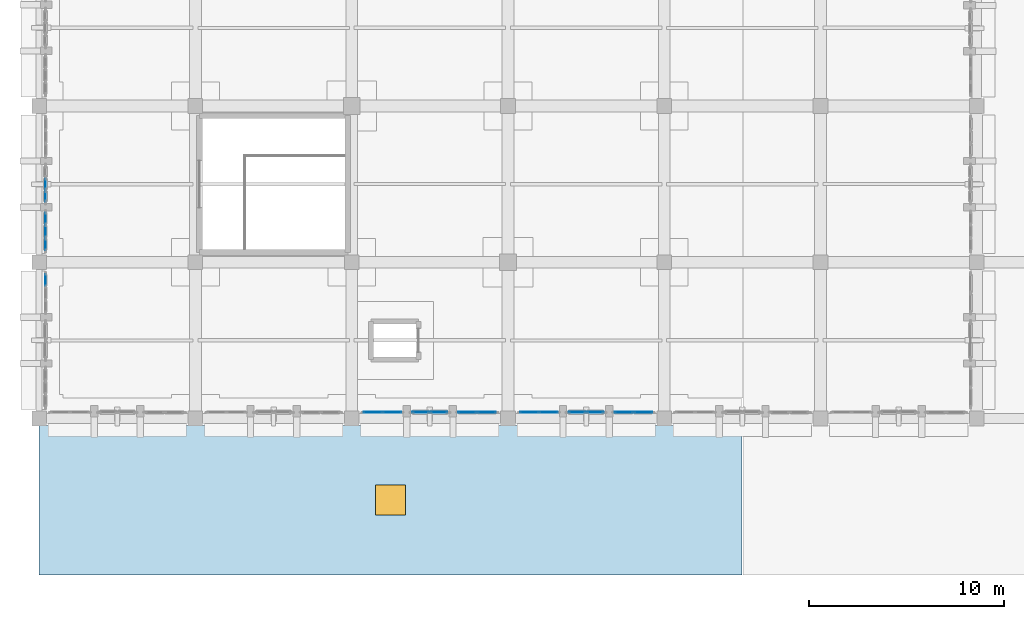
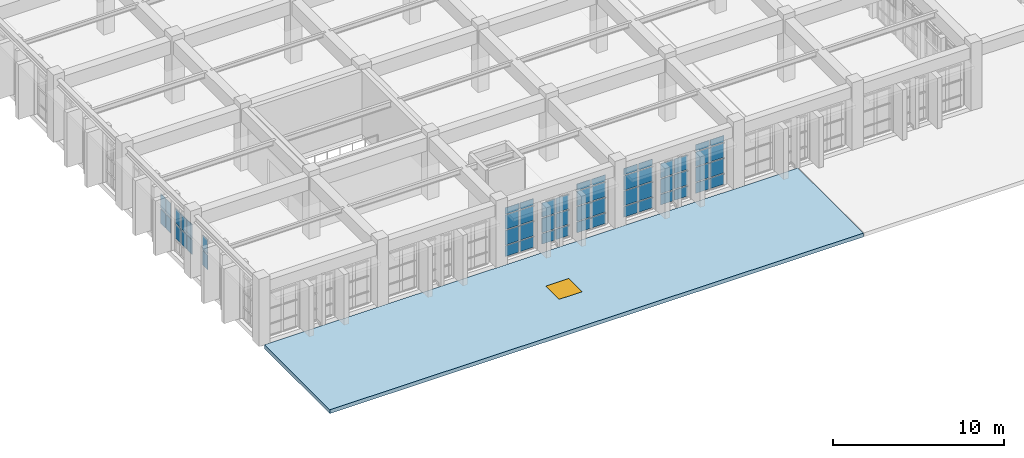
# One storey, part 85 of 155: 56 plates, 1 slab, 1 window, 1 opening, 9 elements without a shape of their own.
"""IFC4 building model written with IfcOpenShell, lengths in metres."""

from ifc_helpers import new_model, si_unit, direction, frame, origin, origin_2d, place, context, subcontext, project, spatial, polyline, rectangle, outline, extrude, material, layer, layer_set, type_object, element, fill, aggregate, save


model = new_model("IFC4")

# Units and contexts
model_context = context("Model", 3, precision=1e-05, world=origin(), true_north=direction((0.0, 1.0)))
body_context = subcontext(model_context, "Body", "Model", "MODEL_VIEW")
ifc_project = project(units=[si_unit("LENGTHUNIT", "METRE"), si_unit("AREAUNIT", "SQUARE_METRE"), si_unit("VOLUMEUNIT", "CUBIC_METRE"), si_unit("PLANEANGLEUNIT", "RADIAN"), si_unit("MASSUNIT", "GRAM", prefix="KILO")], contexts=[model_context])

# Site, building, storey
site_placement = place(None, origin())
site = spatial("IfcSite", under=ifc_project, at=site_placement, CompositionType="ELEMENT")
building_placement = place(site_placement, origin())
building = spatial("IfcBuilding", under=site, at=building_placement, Name="Tazarka Park Arena", CompositionType="ELEMENT")
storey_placement = place(building_placement, frame((0.0, 0.0, 5.39990234375)))
storey = spatial("IfcBuildingStorey", under=building, at=storey_placement, Name="L01", CompositionType="ELEMENT", Elevation=5.39990234375)

# Curtain wall, plates
ifc_material_1 = material(Name="Aluminium and low-e glass", Category="aluminium")
ifc_layer_1 = layer(ifc_material_1, 0.179931640625, Name="Aluminium and low-e glass")
ifc_layer_set_1 = layer_set([ifc_layer_1], Name="Aluminium and low-e glass")
curtain_wall_type_1 = type_object("IfcCurtainWallType", Name="CW-09", PredefinedType="NOTDEFINED", material=ifc_layer_set_1)
curtain_wall_1_placement = place(storey_placement, origin())
curtain_wall_1 = element("IfcCurtainWall", 1, at=curtain_wall_1_placement, inside=storey, type_object=curtain_wall_type_1, Name="Curtain Wall CWA-L01-069", PredefinedType="NOTDEFINED")
ifc_material_2 = material(Name="Double low-e insulated glazing", Category="glass")
ifc_layer_2 = layer(ifc_material_2, 0.028076171875, Name="Double low-e insulated glazing")
ifc_layer_set_2 = layer_set([ifc_layer_2], Name="Double low-e insulated glazing")
plate_type_1 = type_object("IfcPlateType", Name="CWP-01", PredefinedType="CURTAIN_PANEL", material=ifc_layer_set_2)
plate_1_placement = place(storey_placement, frame((0.320068359375, 15.08642578125, 0.8828125), z_axis=(0.0, 0.0, 1.0), x_axis=(0.0, 1.0, 0.0)))
plate_1 = element("IfcPlate", 2, at=plate_1_placement, type_object=plate_type_1, Name="CW-09 panel 3.2", PredefinedType="CURTAIN_PANEL", context=body_context, shape_type="SweptSolid", body=[
    extrude(rectangle(XDim=0.5869140625, YDim=0.028076171875, at=origin_2d()), origin(), (0.0, 0.0, 1.0), 1.034912109375),
])
plate_2_placement = place(storey_placement, frame((0.320068359375, 15.08642578125, 1.982421875), z_axis=(0.0, 0.0, 1.0), x_axis=(0.0, 1.0, 0.0)))
plate_2 = element("IfcPlate", 3, at=plate_2_placement, type_object=plate_type_1, Name="CW-09 panel 3.3", PredefinedType="CURTAIN_PANEL", context=body_context, shape_type="SweptSolid", body=[
    extrude(rectangle(XDim=0.5869140625, YDim=0.028076171875, at=origin_2d()), origin(), (0.0, 0.0, 1.0), 1.034912109375),
])
aggregate(curtain_wall_1, [plate_1, plate_2])

ifc_material_3 = material(Name="Aluminium and low-e glass", Category="aluminium")
ifc_layer_3 = layer(ifc_material_3, 0.179931640625, Name="Aluminium and low-e glass")
ifc_layer_set_3 = layer_set([ifc_layer_3], Name="Aluminium and low-e glass")
curtain_wall_type_2 = type_object("IfcCurtainWallType", Name="CW-18", PredefinedType="NOTDEFINED", material=ifc_layer_set_3)
curtain_wall_2_placement = place(storey_placement, origin())
curtain_wall_2 = element("IfcCurtainWall", 4, at=curtain_wall_2_placement, inside=storey, type_object=curtain_wall_type_2, Name="Curtain Wall CWA-L01-078", PredefinedType="NOTDEFINED")
plate_3_placement = place(storey_placement, frame((18.07861328125, 8.320068359375, 0.065185546875), z_axis=(0.0, 0.0, 1.0), x_axis=(-1.0, 0.0, 0.0)))
plate_3 = element("IfcPlate", 5, at=plate_3_placement, type_object=plate_type_1, Name="CW-18 panel 1.1", PredefinedType="CURTAIN_PANEL", context=body_context, shape_type="SweptSolid", body=[
    extrude(rectangle(XDim=0.92919921875, YDim=0.028076171875, at=origin_2d()), origin(), (0.0, 0.0, 1.0), 0.75244140625),
])
plate_4_placement = place(storey_placement, frame((18.07861328125, 8.320068359375, 0.8828125), z_axis=(0.0, 0.0, 1.0), x_axis=(-1.0, 0.0, 0.0)))
plate_4 = element("IfcPlate", 6, at=plate_4_placement, type_object=plate_type_1, Name="CW-18 panel 1.2", PredefinedType="CURTAIN_PANEL", context=body_context, shape_type="SweptSolid", body=[
    extrude(rectangle(XDim=0.92919921875, YDim=0.028076171875, at=origin_2d()), origin(), (0.0, 0.0, 1.0), 1.034912109375),
])
plate_5_placement = place(storey_placement, frame((18.07861328125, 8.320068359375, 1.982421875), z_axis=(0.0, 0.0, 1.0), x_axis=(-1.0, 0.0, 0.0)))
plate_5 = element("IfcPlate", 7, at=plate_5_placement, type_object=plate_type_1, Name="CW-18 panel 1.3", PredefinedType="CURTAIN_PANEL", context=body_context, shape_type="SweptSolid", body=[
    extrude(rectangle(XDim=0.92919921875, YDim=0.028076171875, at=origin_2d()), origin(), (0.0, 0.0, 1.0), 1.034912109375),
])
plate_6_placement = place(storey_placement, frame((18.07861328125, 8.320068359375, 3.08251953125), z_axis=(0.0, 0.0, 1.0), x_axis=(-1.0, 0.0, 0.0)))
plate_6 = element("IfcPlate", 8, at=plate_6_placement, type_object=plate_type_1, Name="CW-18 panel 1.4", PredefinedType="CURTAIN_PANEL", context=body_context, shape_type="SweptSolid", body=[
    extrude(rectangle(XDim=0.92919921875, YDim=0.028076171875, at=origin_2d()), origin(), (0.0, 0.0, 1.0), 0.452392578125),
])
plate_7_placement = place(storey_placement, frame((17.08447265625, 8.320068359375, 0.065185546875), z_axis=(0.0, 0.0, 1.0), x_axis=(-1.0, 0.0, 0.0)))
plate_7 = element("IfcPlate", 9, at=plate_7_placement, type_object=plate_type_1, Name="CW-18 panel 2.1", PredefinedType="CURTAIN_PANEL", context=body_context, shape_type="SweptSolid", body=[
    extrude(rectangle(XDim=0.92919921875, YDim=0.028076171875, at=origin_2d()), origin(), (0.0, 0.0, 1.0), 0.75244140625),
])
plate_8_placement = place(storey_placement, frame((17.08447265625, 8.320068359375, 0.8828125), z_axis=(0.0, 0.0, 1.0), x_axis=(-1.0, 0.0, 0.0)))
plate_8 = element("IfcPlate", 10, at=plate_8_placement, type_object=plate_type_1, Name="CW-18 panel 2.2", PredefinedType="CURTAIN_PANEL", context=body_context, shape_type="SweptSolid", body=[
    extrude(rectangle(XDim=0.92919921875, YDim=0.028076171875, at=origin_2d()), origin(), (0.0, 0.0, 1.0), 1.034912109375),
])
plate_9_placement = place(storey_placement, frame((17.08447265625, 8.320068359375, 1.982421875), z_axis=(0.0, 0.0, 1.0), x_axis=(-1.0, 0.0, 0.0)))
plate_9 = element("IfcPlate", 11, at=plate_9_placement, type_object=plate_type_1, Name="CW-18 panel 2.3", PredefinedType="CURTAIN_PANEL", context=body_context, shape_type="SweptSolid", body=[
    extrude(rectangle(XDim=0.92919921875, YDim=0.028076171875, at=origin_2d()), origin(), (0.0, 0.0, 1.0), 1.034912109375),
])
plate_10_placement = place(storey_placement, frame((17.08447265625, 8.320068359375, 3.08251953125), z_axis=(0.0, 0.0, 1.0), x_axis=(-1.0, 0.0, 0.0)))
plate_10 = element("IfcPlate", 12, at=plate_10_placement, type_object=plate_type_1, Name="CW-18 panel 2.4", PredefinedType="CURTAIN_PANEL", context=body_context, shape_type="SweptSolid", body=[
    extrude(rectangle(XDim=0.92919921875, YDim=0.028076171875, at=origin_2d()), origin(), (0.0, 0.0, 1.0), 0.452392578125),
])
aggregate(curtain_wall_2, [plate_3, plate_4, plate_5, plate_6, plate_7, plate_8, plate_9, plate_10])

ifc_material_4 = material(Name="Aluminium and low-e glass", Category="aluminium")
ifc_layer_4 = layer(ifc_material_4, 0.179931640625, Name="Aluminium and low-e glass")
ifc_layer_set_4 = layer_set([ifc_layer_4], Name="Aluminium and low-e glass")
curtain_wall_type_3 = type_object("IfcCurtainWallType", Name="CW-21", PredefinedType="NOTDEFINED", material=ifc_layer_set_4)
curtain_wall_3_placement = place(storey_placement, origin())
curtain_wall_3 = element("IfcCurtainWall", 13, at=curtain_wall_3_placement, inside=storey, type_object=curtain_wall_type_3, Name="Curtain Wall CWA-L01-081", PredefinedType="NOTDEFINED")
plate_11_placement = place(storey_placement, frame((26.07861328125, 8.320068359375, 0.065185546875), z_axis=(0.0, 0.0, 1.0), x_axis=(-1.0, 0.0, 0.0)))
plate_11 = element("IfcPlate", 14, at=plate_11_placement, type_object=plate_type_1, Name="CW-21 panel 1.1", PredefinedType="CURTAIN_PANEL", context=body_context, shape_type="SweptSolid", body=[
    extrude(rectangle(XDim=0.92919921875, YDim=0.028076171875, at=origin_2d()), origin(), (0.0, 0.0, 1.0), 0.75244140625),
])
plate_12_placement = place(storey_placement, frame((26.07861328125, 8.320068359375, 0.8828125), z_axis=(0.0, 0.0, 1.0), x_axis=(-1.0, 0.0, 0.0)))
plate_12 = element("IfcPlate", 15, at=plate_12_placement, type_object=plate_type_1, Name="CW-21 panel 1.2", PredefinedType="CURTAIN_PANEL", context=body_context, shape_type="SweptSolid", body=[
    extrude(rectangle(XDim=0.92919921875, YDim=0.028076171875, at=origin_2d()), origin(), (0.0, 0.0, 1.0), 1.034912109375),
])
plate_13_placement = place(storey_placement, frame((26.07861328125, 8.320068359375, 1.982421875), z_axis=(0.0, 0.0, 1.0), x_axis=(-1.0, 0.0, 0.0)))
plate_13 = element("IfcPlate", 16, at=plate_13_placement, type_object=plate_type_1, Name="CW-21 panel 1.3", PredefinedType="CURTAIN_PANEL", context=body_context, shape_type="SweptSolid", body=[
    extrude(rectangle(XDim=0.92919921875, YDim=0.028076171875, at=origin_2d()), origin(), (0.0, 0.0, 1.0), 1.034912109375),
])
plate_14_placement = place(storey_placement, frame((26.07861328125, 8.320068359375, 3.08251953125), z_axis=(0.0, 0.0, 1.0), x_axis=(-1.0, 0.0, 0.0)))
plate_14 = element("IfcPlate", 17, at=plate_14_placement, type_object=plate_type_1, Name="CW-21 panel 1.4", PredefinedType="CURTAIN_PANEL", context=body_context, shape_type="SweptSolid", body=[
    extrude(rectangle(XDim=0.92919921875, YDim=0.028076171875, at=origin_2d()), origin(), (0.0, 0.0, 1.0), 0.452392578125),
])
plate_15_placement = place(storey_placement, frame((25.08447265625, 8.320068359375, 0.065185546875), z_axis=(0.0, 0.0, 1.0), x_axis=(-1.0, 0.0, 0.0)))
plate_15 = element("IfcPlate", 18, at=plate_15_placement, type_object=plate_type_1, Name="CW-21 panel 2.1", PredefinedType="CURTAIN_PANEL", context=body_context, shape_type="SweptSolid", body=[
    extrude(rectangle(XDim=0.92919921875, YDim=0.028076171875, at=origin_2d()), origin(), (0.0, 0.0, 1.0), 0.75244140625),
])
plate_16_placement = place(storey_placement, frame((25.08447265625, 8.320068359375, 0.8828125), z_axis=(0.0, 0.0, 1.0), x_axis=(-1.0, 0.0, 0.0)))
plate_16 = element("IfcPlate", 19, at=plate_16_placement, type_object=plate_type_1, Name="CW-21 panel 2.2", PredefinedType="CURTAIN_PANEL", context=body_context, shape_type="SweptSolid", body=[
    extrude(rectangle(XDim=0.92919921875, YDim=0.028076171875, at=origin_2d()), origin(), (0.0, 0.0, 1.0), 1.034912109375),
])
plate_17_placement = place(storey_placement, frame((25.08447265625, 8.320068359375, 1.982421875), z_axis=(0.0, 0.0, 1.0), x_axis=(-1.0, 0.0, 0.0)))
plate_17 = element("IfcPlate", 20, at=plate_17_placement, type_object=plate_type_1, Name="CW-21 panel 2.3", PredefinedType="CURTAIN_PANEL", context=body_context, shape_type="SweptSolid", body=[
    extrude(rectangle(XDim=0.92919921875, YDim=0.028076171875, at=origin_2d()), origin(), (0.0, 0.0, 1.0), 1.034912109375),
])
plate_18_placement = place(storey_placement, frame((25.08447265625, 8.320068359375, 3.08251953125), z_axis=(0.0, 0.0, 1.0), x_axis=(-1.0, 0.0, 0.0)))
plate_18 = element("IfcPlate", 21, at=plate_18_placement, type_object=plate_type_1, Name="CW-21 panel 2.4", PredefinedType="CURTAIN_PANEL", context=body_context, shape_type="SweptSolid", body=[
    extrude(rectangle(XDim=0.92919921875, YDim=0.028076171875, at=origin_2d()), origin(), (0.0, 0.0, 1.0), 0.452392578125),
])
aggregate(curtain_wall_3, [plate_11, plate_12, plate_13, plate_14, plate_15, plate_16, plate_17, plate_18])

ifc_material_5 = material(Name="Aluminium and low-e glass", Category="aluminium")
ifc_layer_5 = layer(ifc_material_5, 0.179931640625, Name="Aluminium and low-e glass")
ifc_layer_set_5 = layer_set([ifc_layer_5], Name="Aluminium and low-e glass")
curtain_wall_type_4 = type_object("IfcCurtainWallType", Name="CW-04", PredefinedType="NOTDEFINED", material=ifc_layer_set_5)
curtain_wall_4_placement = place(storey_placement, origin())
curtain_wall_4 = element("IfcCurtainWall", 22, at=curtain_wall_4_placement, inside=storey, type_object=curtain_wall_type_4, Name="Curtain Wall CWA-L01-064", PredefinedType="NOTDEFINED")
ifc_material_6 = material(Name="Triple acoustic solar glazing", Category="glass")
ifc_layer_6 = layer(ifc_material_6, 0.031982421875, Name="Triple acoustic solar glazing")
ifc_layer_set_6 = layer_set([ifc_layer_6], Name="Triple acoustic solar glazing")
plate_type_2 = type_object("IfcPlateType", Name="CWP-02", PredefinedType="CURTAIN_PANEL", material=ifc_layer_set_6)
plate_19_placement = place(storey_placement, frame((0.320068359375, 16.91357421875, 0.8828125), z_axis=(0.0, 0.0, 1.0), x_axis=(0.0, 1.0, 0.0)))
plate_19 = element("IfcPlate", 23, at=plate_19_placement, type_object=plate_type_2, Name="CW-04 panel 1.2", PredefinedType="CURTAIN_PANEL", context=body_context, shape_type="SweptSolid", body=[
    extrude(rectangle(XDim=0.5869140625, YDim=0.031982421875, at=origin_2d()), origin(), (0.0, 0.0, 1.0), 1.034912109375),
])
plate_20_placement = place(storey_placement, frame((0.320068359375, 16.91357421875, 1.982421875), z_axis=(0.0, 0.0, 1.0), x_axis=(0.0, 1.0, 0.0)))
plate_20 = element("IfcPlate", 24, at=plate_20_placement, type_object=plate_type_2, Name="CW-04 panel 1.3", PredefinedType="CURTAIN_PANEL", context=body_context, shape_type="SweptSolid", body=[
    extrude(rectangle(XDim=0.5869140625, YDim=0.031982421875, at=origin_2d()), origin(), (0.0, 0.0, 1.0), 1.034912109375),
])
plate_21_placement = place(storey_placement, frame((0.320068359375, 17.58154296875, 0.8828125), z_axis=(0.0, 0.0, 1.0), x_axis=(0.0, 1.0, 0.0)))
plate_21 = element("IfcPlate", 25, at=plate_21_placement, type_object=plate_type_2, Name="CW-04 panel 2.2", PredefinedType="CURTAIN_PANEL", context=body_context, shape_type="SweptSolid", body=[
    extrude(rectangle(XDim=0.619384765625, YDim=0.031982421875, at=origin_2d()), origin(), (0.0, 0.0, 1.0), 1.034912109375),
])
plate_22_placement = place(storey_placement, frame((0.320068359375, 17.58154296875, 1.982421875), z_axis=(0.0, 0.0, 1.0), x_axis=(0.0, 1.0, 0.0)))
plate_22 = element("IfcPlate", 26, at=plate_22_placement, type_object=plate_type_2, Name="CW-04 panel 2.3", PredefinedType="CURTAIN_PANEL", context=body_context, shape_type="SweptSolid", body=[
    extrude(rectangle(XDim=0.619384765625, YDim=0.031982421875, at=origin_2d()), origin(), (0.0, 0.0, 1.0), 1.034912109375),
])
plate_23_placement = place(storey_placement, frame((0.320068359375, 18.249755859375, 0.8828125), z_axis=(0.0, 0.0, 1.0), x_axis=(0.0, 1.0, 0.0)))
plate_23 = element("IfcPlate", 27, at=plate_23_placement, type_object=plate_type_2, Name="CW-04 panel 3.2", PredefinedType="CURTAIN_PANEL", context=body_context, shape_type="SweptSolid", body=[
    extrude(rectangle(XDim=0.5869140625, YDim=0.031982421875, at=origin_2d()), origin(), (0.0, 0.0, 1.0), 1.034912109375),
])
plate_24_placement = place(storey_placement, frame((0.320068359375, 18.249755859375, 1.982421875), z_axis=(0.0, 0.0, 1.0), x_axis=(0.0, 1.0, 0.0)))
plate_24 = element("IfcPlate", 28, at=plate_24_placement, type_object=plate_type_2, Name="CW-04 panel 3.3", PredefinedType="CURTAIN_PANEL", context=body_context, shape_type="SweptSolid", body=[
    extrude(rectangle(XDim=0.5869140625, YDim=0.031982421875, at=origin_2d()), origin(), (0.0, 0.0, 1.0), 1.034912109375),
])
aggregate(curtain_wall_4, [plate_19, plate_20, plate_21, plate_22, plate_23, plate_24])

ifc_material_7 = material(Name="Aluminium and low-e glass", Category="aluminium")
ifc_layer_7 = layer(ifc_material_7, 0.179931640625, Name="Aluminium and low-e glass")
ifc_layer_set_7 = layer_set([ifc_layer_7], Name="Aluminium and low-e glass")
curtain_wall_type_5 = type_object("IfcCurtainWallType", Name="CW-16", PredefinedType="NOTDEFINED", material=ifc_layer_set_7)
curtain_wall_5_placement = place(storey_placement, origin())
curtain_wall_5 = element("IfcCurtainWall", 29, at=curtain_wall_5_placement, inside=storey, type_object=curtain_wall_type_5, Name="Curtain Wall CWA-L01-076", PredefinedType="NOTDEFINED")
plate_25_placement = place(storey_placement, frame((22.91552734375, 8.320068359375, 0.065185546875), z_axis=(0.0, 0.0, 1.0), x_axis=(-1.0, 0.0, 0.0)))
plate_25 = element("IfcPlate", 30, at=plate_25_placement, type_object=plate_type_2, Name="CW-16 panel 1.1", PredefinedType="CURTAIN_PANEL", context=body_context, shape_type="SweptSolid", body=[
    extrude(rectangle(XDim=0.92919921875, YDim=0.031982421875, at=origin_2d()), origin(), (0.0, 0.0, 1.0), 0.75244140625),
])
plate_26_placement = place(storey_placement, frame((22.91552734375, 8.320068359375, 0.8828125), z_axis=(0.0, 0.0, 1.0), x_axis=(-1.0, 0.0, 0.0)))
plate_26 = element("IfcPlate", 31, at=plate_26_placement, type_object=plate_type_2, Name="CW-16 panel 1.2", PredefinedType="CURTAIN_PANEL", context=body_context, shape_type="SweptSolid", body=[
    extrude(rectangle(XDim=0.92919921875, YDim=0.031982421875, at=origin_2d()), origin(), (0.0, 0.0, 1.0), 1.034912109375),
])
plate_27_placement = place(storey_placement, frame((22.91552734375, 8.320068359375, 1.982421875), z_axis=(0.0, 0.0, 1.0), x_axis=(-1.0, 0.0, 0.0)))
plate_27 = element("IfcPlate", 32, at=plate_27_placement, type_object=plate_type_2, Name="CW-16 panel 1.3", PredefinedType="CURTAIN_PANEL", context=body_context, shape_type="SweptSolid", body=[
    extrude(rectangle(XDim=0.92919921875, YDim=0.031982421875, at=origin_2d()), origin(), (0.0, 0.0, 1.0), 1.034912109375),
])
plate_28_placement = place(storey_placement, frame((22.91552734375, 8.320068359375, 3.08251953125), z_axis=(0.0, 0.0, 1.0), x_axis=(-1.0, 0.0, 0.0)))
plate_28 = element("IfcPlate", 33, at=plate_28_placement, type_object=plate_type_2, Name="CW-16 panel 1.4", PredefinedType="CURTAIN_PANEL", context=body_context, shape_type="SweptSolid", body=[
    extrude(rectangle(XDim=0.92919921875, YDim=0.031982421875, at=origin_2d()), origin(), (0.0, 0.0, 1.0), 0.452392578125),
])
plate_29_placement = place(storey_placement, frame((21.92138671875, 8.320068359375, 0.065185546875), z_axis=(0.0, 0.0, 1.0), x_axis=(-1.0, 0.0, 0.0)))
plate_29 = element("IfcPlate", 34, at=plate_29_placement, type_object=plate_type_2, Name="CW-16 panel 2.1", PredefinedType="CURTAIN_PANEL", context=body_context, shape_type="SweptSolid", body=[
    extrude(rectangle(XDim=0.92919921875, YDim=0.031982421875, at=origin_2d()), origin(), (0.0, 0.0, 1.0), 0.75244140625),
])
plate_30_placement = place(storey_placement, frame((21.92138671875, 8.320068359375, 0.8828125), z_axis=(0.0, 0.0, 1.0), x_axis=(-1.0, 0.0, 0.0)))
plate_30 = element("IfcPlate", 35, at=plate_30_placement, type_object=plate_type_2, Name="CW-16 panel 2.2", PredefinedType="CURTAIN_PANEL", context=body_context, shape_type="SweptSolid", body=[
    extrude(rectangle(XDim=0.92919921875, YDim=0.031982421875, at=origin_2d()), origin(), (0.0, 0.0, 1.0), 1.034912109375),
])
plate_31_placement = place(storey_placement, frame((21.92138671875, 8.320068359375, 1.982421875), z_axis=(0.0, 0.0, 1.0), x_axis=(-1.0, 0.0, 0.0)))
plate_31 = element("IfcPlate", 36, at=plate_31_placement, type_object=plate_type_2, Name="CW-16 panel 2.3", PredefinedType="CURTAIN_PANEL", context=body_context, shape_type="SweptSolid", body=[
    extrude(rectangle(XDim=0.92919921875, YDim=0.031982421875, at=origin_2d()), origin(), (0.0, 0.0, 1.0), 1.034912109375),
])
plate_32_placement = place(storey_placement, frame((21.92138671875, 8.320068359375, 3.08251953125), z_axis=(0.0, 0.0, 1.0), x_axis=(-1.0, 0.0, 0.0)))
plate_32 = element("IfcPlate", 37, at=plate_32_placement, type_object=plate_type_2, Name="CW-16 panel 2.4", PredefinedType="CURTAIN_PANEL", context=body_context, shape_type="SweptSolid", body=[
    extrude(rectangle(XDim=0.92919921875, YDim=0.031982421875, at=origin_2d()), origin(), (0.0, 0.0, 1.0), 0.452392578125),
])
aggregate(curtain_wall_5, [plate_25, plate_26, plate_27, plate_28, plate_29, plate_30, plate_31, plate_32])

ifc_material_8 = material(Name="Aluminium and low-e glass", Category="aluminium")
ifc_layer_8 = layer(ifc_material_8, 0.179931640625, Name="Aluminium and low-e glass")
ifc_layer_set_8 = layer_set([ifc_layer_8], Name="Aluminium and low-e glass")
curtain_wall_type_6 = type_object("IfcCurtainWallType", Name="CW-19", PredefinedType="NOTDEFINED", material=ifc_layer_set_8)
curtain_wall_6_placement = place(storey_placement, origin())
curtain_wall_6 = element("IfcCurtainWall", 38, at=curtain_wall_6_placement, inside=storey, type_object=curtain_wall_type_6, Name="Curtain Wall CWA-L01-079", PredefinedType="NOTDEFINED")
plate_33_placement = place(storey_placement, frame((30.91552734375, 8.320068359375, 0.065185546875), z_axis=(0.0, 0.0, 1.0), x_axis=(-1.0, 0.0, 0.0)))
plate_33 = element("IfcPlate", 39, at=plate_33_placement, type_object=plate_type_2, Name="CW-19 panel 1.1", PredefinedType="CURTAIN_PANEL", context=body_context, shape_type="SweptSolid", body=[
    extrude(rectangle(XDim=0.92919921875, YDim=0.031982421875, at=origin_2d()), origin(), (0.0, 0.0, 1.0), 0.75244140625),
])
plate_34_placement = place(storey_placement, frame((30.91552734375, 8.320068359375, 0.8828125), z_axis=(0.0, 0.0, 1.0), x_axis=(-1.0, 0.0, 0.0)))
plate_34 = element("IfcPlate", 40, at=plate_34_placement, type_object=plate_type_2, Name="CW-19 panel 1.2", PredefinedType="CURTAIN_PANEL", context=body_context, shape_type="SweptSolid", body=[
    extrude(rectangle(XDim=0.92919921875, YDim=0.031982421875, at=origin_2d()), origin(), (0.0, 0.0, 1.0), 1.034912109375),
])
plate_35_placement = place(storey_placement, frame((30.91552734375, 8.320068359375, 1.982421875), z_axis=(0.0, 0.0, 1.0), x_axis=(-1.0, 0.0, 0.0)))
plate_35 = element("IfcPlate", 41, at=plate_35_placement, type_object=plate_type_2, Name="CW-19 panel 1.3", PredefinedType="CURTAIN_PANEL", context=body_context, shape_type="SweptSolid", body=[
    extrude(rectangle(XDim=0.92919921875, YDim=0.031982421875, at=origin_2d()), origin(), (0.0, 0.0, 1.0), 1.034912109375),
])
plate_36_placement = place(storey_placement, frame((30.91552734375, 8.320068359375, 3.08251953125), z_axis=(0.0, 0.0, 1.0), x_axis=(-1.0, 0.0, 0.0)))
plate_36 = element("IfcPlate", 42, at=plate_36_placement, type_object=plate_type_2, Name="CW-19 panel 1.4", PredefinedType="CURTAIN_PANEL", context=body_context, shape_type="SweptSolid", body=[
    extrude(rectangle(XDim=0.92919921875, YDim=0.031982421875, at=origin_2d()), origin(), (0.0, 0.0, 1.0), 0.452392578125),
])
plate_37_placement = place(storey_placement, frame((29.92138671875, 8.320068359375, 0.065185546875), z_axis=(0.0, 0.0, 1.0), x_axis=(-1.0, 0.0, 0.0)))
plate_37 = element("IfcPlate", 43, at=plate_37_placement, type_object=plate_type_2, Name="CW-19 panel 2.1", PredefinedType="CURTAIN_PANEL", context=body_context, shape_type="SweptSolid", body=[
    extrude(rectangle(XDim=0.92919921875, YDim=0.031982421875, at=origin_2d()), origin(), (0.0, 0.0, 1.0), 0.75244140625),
])
plate_38_placement = place(storey_placement, frame((29.92138671875, 8.320068359375, 0.8828125), z_axis=(0.0, 0.0, 1.0), x_axis=(-1.0, 0.0, 0.0)))
plate_38 = element("IfcPlate", 44, at=plate_38_placement, type_object=plate_type_2, Name="CW-19 panel 2.2", PredefinedType="CURTAIN_PANEL", context=body_context, shape_type="SweptSolid", body=[
    extrude(rectangle(XDim=0.92919921875, YDim=0.031982421875, at=origin_2d()), origin(), (0.0, 0.0, 1.0), 1.034912109375),
])
plate_39_placement = place(storey_placement, frame((29.92138671875, 8.320068359375, 1.982421875), z_axis=(0.0, 0.0, 1.0), x_axis=(-1.0, 0.0, 0.0)))
plate_39 = element("IfcPlate", 45, at=plate_39_placement, type_object=plate_type_2, Name="CW-19 panel 2.3", PredefinedType="CURTAIN_PANEL", context=body_context, shape_type="SweptSolid", body=[
    extrude(rectangle(XDim=0.92919921875, YDim=0.031982421875, at=origin_2d()), origin(), (0.0, 0.0, 1.0), 1.034912109375),
])
plate_40_placement = place(storey_placement, frame((29.92138671875, 8.320068359375, 3.08251953125), z_axis=(0.0, 0.0, 1.0), x_axis=(-1.0, 0.0, 0.0)))
plate_40 = element("IfcPlate", 46, at=plate_40_placement, type_object=plate_type_2, Name="CW-19 panel 2.4", PredefinedType="CURTAIN_PANEL", context=body_context, shape_type="SweptSolid", body=[
    extrude(rectangle(XDim=0.92919921875, YDim=0.031982421875, at=origin_2d()), origin(), (0.0, 0.0, 1.0), 0.452392578125),
])
aggregate(curtain_wall_6, [plate_33, plate_34, plate_35, plate_36, plate_37, plate_38, plate_39, plate_40])

ifc_material_9 = material(Name="Aluminium and low-e glass", Category="aluminium")
ifc_layer_9 = layer(ifc_material_9, 0.179931640625, Name="Aluminium and low-e glass")
ifc_layer_set_9 = layer_set([ifc_layer_9], Name="Aluminium and low-e glass")
curtain_wall_type_7 = type_object("IfcCurtainWallType", Name="CW-05", PredefinedType="NOTDEFINED", material=ifc_layer_set_9)
curtain_wall_7_placement = place(storey_placement, origin())
curtain_wall_7 = element("IfcCurtainWall", 47, at=curtain_wall_7_placement, inside=storey, type_object=curtain_wall_type_7, Name="Curtain Wall CWA-L01-065", PredefinedType="NOTDEFINED")
ifc_material_10 = material(Name="Insulated aluminium spandrel panel", Category="aluminium")
ifc_layer_10 = layer(ifc_material_10, 0.035888671875, Name="Insulated aluminium spandrel panel")
ifc_layer_set_10 = layer_set([ifc_layer_10], Name="Insulated aluminium spandrel panel")
plate_type_3 = type_object("IfcPlateType", Name="CWP-03", PredefinedType="CURTAIN_PANEL", material=ifc_layer_set_10)
plate_41_placement = place(storey_placement, frame((0.320068359375, 19.370849609375, 0.8876953125), z_axis=(0.0, 0.0, 1.0), x_axis=(0.0, 1.0, 0.0)))
plate_41 = element("IfcPlate", 48, at=plate_41_placement, type_object=plate_type_3, Name="CW-05 panel 1.2", PredefinedType="CURTAIN_PANEL", context=body_context, shape_type="SweptSolid", body=[
    extrude(rectangle(XDim=0.535400390625, YDim=0.035888671875, at=origin_2d()), origin(), (0.0, 0.0, 1.0), 1.02490234375),
])
plate_42_placement = place(storey_placement, frame((0.320068359375, 19.370849609375, 1.987548828125), z_axis=(0.0, 0.0, 1.0), x_axis=(0.0, 1.0, 0.0)))
plate_42 = element("IfcPlate", 49, at=plate_42_placement, type_object=plate_type_3, Name="CW-05 panel 1.3", PredefinedType="CURTAIN_PANEL", context=body_context, shape_type="SweptSolid", body=[
    extrude(rectangle(XDim=0.535400390625, YDim=0.035888671875, at=origin_2d()), origin(), (0.0, 0.0, 1.0), 1.02490234375),
])
plate_43_placement = place(storey_placement, frame((0.320068359375, 20.0, 0.8876953125), z_axis=(0.0, 0.0, 1.0), x_axis=(0.0, 1.0, 0.0)))
plate_43 = element("IfcPlate", 50, at=plate_43_placement, type_object=plate_type_3, Name="CW-05 panel 2.2", PredefinedType="CURTAIN_PANEL", context=body_context, shape_type="SweptSolid", body=[
    extrude(rectangle(XDim=0.57275390625, YDim=0.035888671875, at=origin_2d()), origin(), (0.0, 0.0, 1.0), 1.02490234375),
])
plate_44_placement = place(storey_placement, frame((0.320068359375, 20.0, 1.987548828125), z_axis=(0.0, 0.0, 1.0), x_axis=(0.0, 1.0, 0.0)))
plate_44 = element("IfcPlate", 51, at=plate_44_placement, type_object=plate_type_3, Name="CW-05 panel 2.3", PredefinedType="CURTAIN_PANEL", context=body_context, shape_type="SweptSolid", body=[
    extrude(rectangle(XDim=0.57275390625, YDim=0.035888671875, at=origin_2d()), origin(), (0.0, 0.0, 1.0), 1.02490234375),
])
aggregate(curtain_wall_7, [plate_41, plate_42, plate_43, plate_44])

ifc_material_11 = material(Name="Aluminium and low-e glass", Category="aluminium")
ifc_layer_11 = layer(ifc_material_11, 0.179931640625, Name="Aluminium and low-e glass")
ifc_layer_set_11 = layer_set([ifc_layer_11], Name="Aluminium and low-e glass")
curtain_wall_type_8 = type_object("IfcCurtainWallType", Name="CW-17", PredefinedType="NOTDEFINED", material=ifc_layer_set_11)
curtain_wall_8_placement = place(storey_placement, origin())
curtain_wall_8 = element("IfcCurtainWall", 52, at=curtain_wall_8_placement, inside=storey, type_object=curtain_wall_type_8, Name="Curtain Wall CWA-L01-077", PredefinedType="NOTDEFINED")
plate_45_placement = place(storey_placement, frame((20.467041015625, 8.320068359375, 0.0751953125), z_axis=(0.0, 0.0, 1.0), x_axis=(-1.0, 0.0, 0.0)))
plate_45 = element("IfcPlate", 53, at=plate_45_placement, type_object=plate_type_3, Name="CW-17 panel 1.1", PredefinedType="CURTAIN_PANEL", context=body_context, shape_type="SweptSolid", body=[
    extrude(rectangle(XDim=0.859130859375, YDim=0.035888671875, at=origin_2d()), origin(), (0.0, 0.0, 1.0), 0.737548828125),
])
plate_46_placement = place(storey_placement, frame((20.467041015625, 8.320068359375, 0.8876953125), z_axis=(0.0, 0.0, 1.0), x_axis=(-1.0, 0.0, 0.0)))
plate_46 = element("IfcPlate", 54, at=plate_46_placement, type_object=plate_type_3, Name="CW-17 panel 1.2", PredefinedType="CURTAIN_PANEL", context=body_context, shape_type="SweptSolid", body=[
    extrude(rectangle(XDim=0.859130859375, YDim=0.035888671875, at=origin_2d()), origin(), (0.0, 0.0, 1.0), 1.02490234375),
])
plate_47_placement = place(storey_placement, frame((20.467041015625, 8.320068359375, 1.987548828125), z_axis=(0.0, 0.0, 1.0), x_axis=(-1.0, 0.0, 0.0)))
plate_47 = element("IfcPlate", 55, at=plate_47_placement, type_object=plate_type_3, Name="CW-17 panel 1.3", PredefinedType="CURTAIN_PANEL", context=body_context, shape_type="SweptSolid", body=[
    extrude(rectangle(XDim=0.859130859375, YDim=0.035888671875, at=origin_2d()), origin(), (0.0, 0.0, 1.0), 1.02490234375),
])
plate_48_placement = place(storey_placement, frame((19.532958984375, 8.320068359375, 0.0751953125), z_axis=(0.0, 0.0, 1.0), x_axis=(-1.0, 0.0, 0.0)))
plate_48 = element("IfcPlate", 56, at=plate_48_placement, type_object=plate_type_3, Name="CW-17 panel 2.1", PredefinedType="CURTAIN_PANEL", context=body_context, shape_type="SweptSolid", body=[
    extrude(rectangle(XDim=0.859130859375, YDim=0.035888671875, at=origin_2d()), origin(), (0.0, 0.0, 1.0), 0.737548828125),
])
plate_49_placement = place(storey_placement, frame((19.532958984375, 8.320068359375, 0.8876953125), z_axis=(0.0, 0.0, 1.0), x_axis=(-1.0, 0.0, 0.0)))
plate_49 = element("IfcPlate", 57, at=plate_49_placement, type_object=plate_type_3, Name="CW-17 panel 2.2", PredefinedType="CURTAIN_PANEL", context=body_context, shape_type="SweptSolid", body=[
    extrude(rectangle(XDim=0.859130859375, YDim=0.035888671875, at=origin_2d()), origin(), (0.0, 0.0, 1.0), 1.02490234375),
])
plate_50_placement = place(storey_placement, frame((19.532958984375, 8.320068359375, 1.987548828125), z_axis=(0.0, 0.0, 1.0), x_axis=(-1.0, 0.0, 0.0)))
plate_50 = element("IfcPlate", 58, at=plate_50_placement, type_object=plate_type_3, Name="CW-17 panel 2.3", PredefinedType="CURTAIN_PANEL", context=body_context, shape_type="SweptSolid", body=[
    extrude(rectangle(XDim=0.859130859375, YDim=0.035888671875, at=origin_2d()), origin(), (0.0, 0.0, 1.0), 1.02490234375),
])
aggregate(curtain_wall_8, [plate_45, plate_46, plate_47, plate_48, plate_49, plate_50])

ifc_material_12 = material(Name="Aluminium and low-e glass", Category="aluminium")
ifc_layer_12 = layer(ifc_material_12, 0.179931640625, Name="Aluminium and low-e glass")
ifc_layer_set_12 = layer_set([ifc_layer_12], Name="Aluminium and low-e glass")
curtain_wall_type_9 = type_object("IfcCurtainWallType", Name="CW-20", PredefinedType="NOTDEFINED", material=ifc_layer_set_12)
curtain_wall_9_placement = place(storey_placement, origin())
curtain_wall_9 = element("IfcCurtainWall", 59, at=curtain_wall_9_placement, inside=storey, type_object=curtain_wall_type_9, Name="Curtain Wall CWA-L01-080", PredefinedType="NOTDEFINED")
plate_51_placement = place(storey_placement, frame((28.467041015625, 8.320068359375, 0.0751953125), z_axis=(0.0, 0.0, 1.0), x_axis=(-1.0, 0.0, 0.0)))
plate_51 = element("IfcPlate", 60, at=plate_51_placement, type_object=plate_type_3, Name="CW-20 panel 1.1", PredefinedType="CURTAIN_PANEL", context=body_context, shape_type="SweptSolid", body=[
    extrude(rectangle(XDim=0.859130859375, YDim=0.035888671875, at=origin_2d()), origin(), (0.0, 0.0, 1.0), 0.737548828125),
])
plate_52_placement = place(storey_placement, frame((28.467041015625, 8.320068359375, 0.8876953125), z_axis=(0.0, 0.0, 1.0), x_axis=(-1.0, 0.0, 0.0)))
plate_52 = element("IfcPlate", 61, at=plate_52_placement, type_object=plate_type_3, Name="CW-20 panel 1.2", PredefinedType="CURTAIN_PANEL", context=body_context, shape_type="SweptSolid", body=[
    extrude(rectangle(XDim=0.859130859375, YDim=0.035888671875, at=origin_2d()), origin(), (0.0, 0.0, 1.0), 1.02490234375),
])
plate_53_placement = place(storey_placement, frame((28.467041015625, 8.320068359375, 1.987548828125), z_axis=(0.0, 0.0, 1.0), x_axis=(-1.0, 0.0, 0.0)))
plate_53 = element("IfcPlate", 62, at=plate_53_placement, type_object=plate_type_3, Name="CW-20 panel 1.3", PredefinedType="CURTAIN_PANEL", context=body_context, shape_type="SweptSolid", body=[
    extrude(rectangle(XDim=0.859130859375, YDim=0.035888671875, at=origin_2d()), origin(), (0.0, 0.0, 1.0), 1.02490234375),
])
plate_54_placement = place(storey_placement, frame((27.532958984375, 8.320068359375, 0.0751953125), z_axis=(0.0, 0.0, 1.0), x_axis=(-1.0, 0.0, 0.0)))
plate_54 = element("IfcPlate", 63, at=plate_54_placement, type_object=plate_type_3, Name="CW-20 panel 2.1", PredefinedType="CURTAIN_PANEL", context=body_context, shape_type="SweptSolid", body=[
    extrude(rectangle(XDim=0.859130859375, YDim=0.035888671875, at=origin_2d()), origin(), (0.0, 0.0, 1.0), 0.737548828125),
])
plate_55_placement = place(storey_placement, frame((27.532958984375, 8.320068359375, 0.8876953125), z_axis=(0.0, 0.0, 1.0), x_axis=(-1.0, 0.0, 0.0)))
plate_55 = element("IfcPlate", 64, at=plate_55_placement, type_object=plate_type_3, Name="CW-20 panel 2.2", PredefinedType="CURTAIN_PANEL", context=body_context, shape_type="SweptSolid", body=[
    extrude(rectangle(XDim=0.859130859375, YDim=0.035888671875, at=origin_2d()), origin(), (0.0, 0.0, 1.0), 1.02490234375),
])
plate_56_placement = place(storey_placement, frame((27.532958984375, 8.320068359375, 1.987548828125), z_axis=(0.0, 0.0, 1.0), x_axis=(-1.0, 0.0, 0.0)))
plate_56 = element("IfcPlate", 65, at=plate_56_placement, type_object=plate_type_3, Name="CW-20 panel 2.3", PredefinedType="CURTAIN_PANEL", context=body_context, shape_type="SweptSolid", body=[
    extrude(rectangle(XDim=0.859130859375, YDim=0.035888671875, at=origin_2d()), origin(), (0.0, 0.0, 1.0), 1.02490234375),
])
aggregate(curtain_wall_9, [plate_51, plate_52, plate_53, plate_54, plate_55, plate_56])

# Slab, opening, window
ifc_material_13 = material(Name="Concrete C35/45", Category="concrete")
ifc_layer_13 = layer(ifc_material_13, 0.27001953125, Name="Concrete C35/45")
ifc_layer_set_13 = layer_set([ifc_layer_13], Name="Concrete C35/45")
slab_type = type_object("IfcSlabType", Name="SLB-RS-04", PredefinedType="ROOF", material=ifc_layer_set_13)
slab_placement = place(storey_placement, frame((0.0, 0.0, -0.27001953125)))
slab = element("IfcSlab", 66, at=slab_placement, inside=storey, type_object=slab_type, Name="WROOF-L01-01", PredefinedType="ROOF", context=body_context, shape_type="SweptSolid", body=[
    extrude(outline(polyline([(35.97998046875, 0.0), (0.0, 0.0), (0.0, 7.64990234375), (35.97998046875, 7.64990234375), (35.97998046875, 0.0)])), origin(), (0.0, 0.0, 1.0), 0.27001953125),
])
opening_placement = place(slab_placement, frame((17.989990234375, 3.824951171875, 0.0)))
opening = element("IfcOpeningElement", 67, at=opening_placement, cuts=slab, Name="Opening SK-01", PredefinedType="OPENING", context=body_context, shape_type="SweptSolid", body=[
    extrude(rectangle(XDim=1.550048828125, YDim=1.550048828125, at=origin_2d()), origin(), (0.0, 0.0, 1.0), 0.27001953125),
])
ifc_material_14 = material(Name="Thermally broken aluminium and solar-control low-e glazing", Category="aluminium")
window_type = type_object("IfcWindowType", Name="WIN-SK-01", PartitioningType="DOUBLE_PANEL_VERTICAL", PredefinedType="SKYLIGHT", material=ifc_material_14)
window_placement = place(opening_placement, frame((0.0, 0.0, 0.219970703125)))
window = element("IfcWindow", 68, at=window_placement, inside=storey, type_object=window_type, Name="Smoke Vent Skylight 01", OverallHeight=1.550048828125, OverallWidth=1.550048828125, PartitioningType="SINGLE_PANEL", PredefinedType="SKYLIGHT", context=body_context, shape_type="SweptSolid", body=[
    extrude(rectangle(XDim=1.550048828125, YDim=1.550048828125, at=origin_2d()), origin(), (0.0, 0.0, 1.0), 0.050048828125),
])
fill(opening, window)

save(model, "model.ifc")
